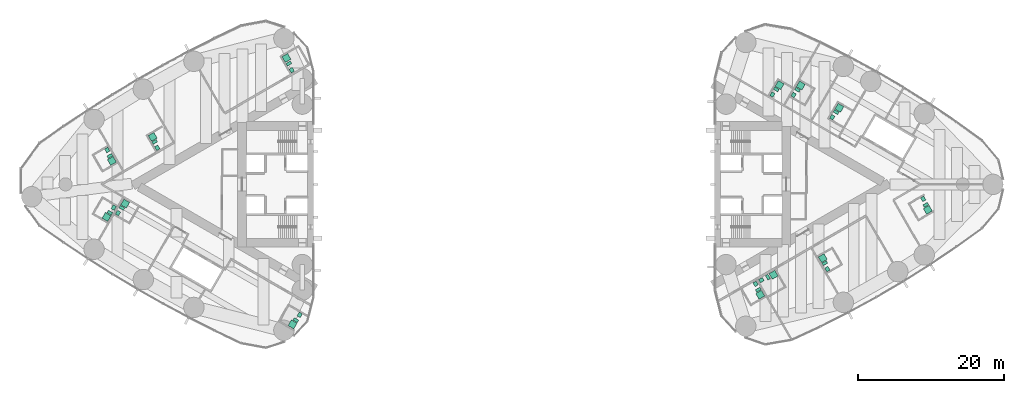
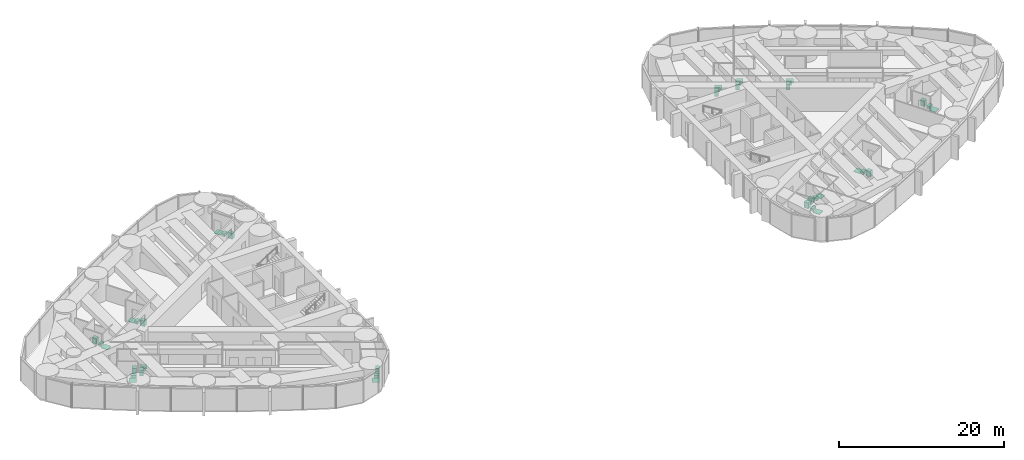
# One storey, part 18 of 18: 17 sanitary terminals.
"""IFC4 building model written with IfcOpenShell, lengths in metres."""

from ifc_helpers import new_model, si_unit, direction, frame, origin, origin_2d, place, context, subcontext, project, spatial, rectangle, extrude, material, type_object, element, save


model = new_model("IFC4")

# Units and contexts
model_context = context("Model", 3, precision=1e-05, world=origin(), true_north=direction((0.0, 1.0)))
body_context = subcontext(model_context, "Body", "Model", "MODEL_VIEW")
ifc_project = project(units=[si_unit("LENGTHUNIT", "METRE"), si_unit("AREAUNIT", "SQUARE_METRE"), si_unit("VOLUMEUNIT", "CUBIC_METRE"), si_unit("PLANEANGLEUNIT", "RADIAN"), si_unit("MASSUNIT", "GRAM", prefix="KILO")], contexts=[model_context])

# Site, building, storey
site_placement = place(None, origin())
site = spatial("IfcSite", under=ifc_project, at=site_placement, CompositionType="ELEMENT")
building_placement = place(site_placement, origin())
building = spatial("IfcBuilding", under=site, at=building_placement, Name="Lancet Gate Hotel", CompositionType="ELEMENT")
storey_placement = place(building_placement, frame((0.0, 0.0, 180.800048828125)))
storey = spatial("IfcBuildingStorey", under=building, at=storey_placement, Name="L48", CompositionType="ELEMENT", Elevation=180.800048828125)

# Sanitary terminals
ifc_material_1 = material(Name="Vitreous china sanitary ware")
sanitary_terminal_type_1 = type_object("IfcSanitaryTerminalType", Name="En-suite sanitary set (shower, WC, basin)", PredefinedType="USERDEFINED", material=ifc_material_1)
sanitary_terminal_1_placement = place(storey_placement, frame((-49.56005859375, 6.505615234375, 0.0), z_axis=(0.0, 0.0, 1.0), x_axis=(1.0, 0.0, 0.0)))
element("IfcSanitaryTerminal", 1, at=sanitary_terminal_1_placement, inside=storey, type_object=sanitary_terminal_type_1, Name="En-suite sanitary set (shower, WC, basin) 4803", ObjectType="EN-SUITE SANITARY SET", PredefinedType="USERDEFINED", context=body_context, shape_type="SweptSolid", body=[
    extrude(rectangle(XDim=0.89990234375, YDim=0.89990234375, at=origin_2d()), frame((0.0, 0.0, 0.0), z_axis=(0.0, 0.0, 1.0), x_axis=(-0.5, 0.866025403784, 0.0)), (0.0, 0.0, 1.0), 0.050048828125),
    extrude(rectangle(XDim=0.39990234375, YDim=0.699951171875, at=origin_2d()), frame((0.2783203125, -0.68212890625, 0.0), z_axis=(0.0, 0.0, 1.0), x_axis=(-0.5, 0.866025403784, 0.0)), (0.0, 0.0, 1.0), 0.39990234375),
    extrude(rectangle(XDim=0.60009765625, YDim=0.5, at=origin_2d()), frame((0.6318359375, -1.494140625, 0.0), z_axis=(0.0, 0.0, 1.0), x_axis=(-0.5, 0.866025403784, 0.0)), (0.0, 0.0, 1.0), 0.85009765625),
])
sanitary_terminal_2_placement = place(storey_placement, frame((-55.1455078125, 3.211669921875, 0.0), z_axis=(0.0, 0.0, 1.0), x_axis=(1.0, 0.0, 0.0)))
element("IfcSanitaryTerminal", 2, at=sanitary_terminal_2_placement, inside=storey, type_object=sanitary_terminal_type_1, Name="En-suite sanitary set (shower, WC, basin) 4804", ObjectType="EN-SUITE SANITARY SET", PredefinedType="USERDEFINED", context=body_context, shape_type="SweptSolid", body=[
    extrude(rectangle(XDim=0.89990234375, YDim=0.89990234375, at=origin_2d()), frame((0.0, 0.0, 0.0), z_axis=(0.0, 0.0, 1.0), x_axis=(0.5, -0.866025403784, 0.0)), (0.0, 0.0, 1.0), 0.050048828125),
    extrude(rectangle(XDim=0.39990234375, YDim=0.699951171875, at=origin_2d()), frame((-0.278564453125, 0.68212890625, 0.0), z_axis=(0.0, 0.0, 1.0), x_axis=(0.5, -0.866025403784, 0.0)), (0.0, 0.0, 1.0), 0.39990234375),
    extrude(rectangle(XDim=0.60009765625, YDim=0.5, at=origin_2d()), frame((-0.6318359375, 1.494140625, 0.0), z_axis=(0.0, 0.0, 1.0), x_axis=(0.5, -0.866025403784, 0.0)), (0.0, 0.0, 1.0), 0.85009765625),
])
sanitary_terminal_3_placement = place(storey_placement, frame((-55.87548828125, -4.47607421875, 0.0), z_axis=(0.0, 0.0, 1.0), x_axis=(1.0, 0.0, 0.0)))
element("IfcSanitaryTerminal", 3, at=sanitary_terminal_3_placement, inside=storey, type_object=sanitary_terminal_type_1, Name="En-suite sanitary set (shower, WC, basin) 4805", ObjectType="EN-SUITE SANITARY SET", PredefinedType="USERDEFINED", context=body_context, shape_type="SweptSolid", body=[
    extrude(rectangle(XDim=0.89990234375, YDim=0.89990234375, at=origin_2d()), frame((0.0, 0.0, 0.0), z_axis=(0.0, 0.0, 1.0), x_axis=(-0.5, -0.866025403784, 0.0)), (0.0, 0.0, 1.0), 0.050048828125),
    extrude(rectangle(XDim=0.39990234375, YDim=0.699951171875, at=origin_2d()), frame((0.451416015625, 0.582275390625, 0.0), z_axis=(0.0, 0.0, 1.0), x_axis=(-0.5, -0.866025403784, 0.0)), (0.0, 0.0, 1.0), 0.39990234375),
    extrude(rectangle(XDim=0.60009765625, YDim=0.5, at=origin_2d()), frame((0.97802734375, 1.29443359375, 0.0), z_axis=(0.0, 0.0, 1.0), x_axis=(-0.5, -0.866025403784, 0.0)), (0.0, 0.0, 1.0), 0.85009765625),
])
sanitary_terminal_4_placement = place(storey_placement, frame((-53.328369140625, -2.644287109375, 0.0), z_axis=(0.0, 0.0, 1.0), x_axis=(1.0, 0.0, 0.0)))
element("IfcSanitaryTerminal", 4, at=sanitary_terminal_4_placement, inside=storey, type_object=sanitary_terminal_type_1, Name="En-suite sanitary set (shower, WC, basin) 4806", ObjectType="EN-SUITE SANITARY SET", PredefinedType="USERDEFINED", context=body_context, shape_type="SweptSolid", body=[
    extrude(rectangle(XDim=0.89990234375, YDim=0.89990234375, at=origin_2d()), frame((0.0, 0.0, 0.0), z_axis=(0.0, 0.0, 1.0), x_axis=(0.5, 0.866025403784, 0.0)), (0.0, 0.0, 1.0), 0.050048828125),
    extrude(rectangle(XDim=0.39990234375, YDim=0.699951171875, at=origin_2d()), frame((-0.45166015625, -0.58203125, 0.0), z_axis=(0.0, 0.0, 1.0), x_axis=(0.5, 0.866025403784, 0.0)), (0.0, 0.0, 1.0), 0.39990234375),
    extrude(rectangle(XDim=0.60009765625, YDim=0.5, at=origin_2d()), frame((-0.978271484375, -1.294189453125, 0.0), z_axis=(0.0, 0.0, 1.0), x_axis=(0.5, 0.866025403784, 0.0)), (0.0, 0.0, 1.0), 0.85009765625),
])
sanitary_terminal_5_placement = place(storey_placement, frame((-30.37841796875, -19.19677734375, 0.0), z_axis=(0.0, 0.0, 1.0), x_axis=(1.0, 0.0, 0.0)))
element("IfcSanitaryTerminal", 5, at=sanitary_terminal_5_placement, inside=storey, type_object=sanitary_terminal_type_1, Name="En-suite sanitary set (shower, WC, basin) 4808", ObjectType="EN-SUITE SANITARY SET", PredefinedType="USERDEFINED", context=body_context, shape_type="SweptSolid", body=[
    extrude(rectangle(XDim=0.89990234375, YDim=0.89990234375, at=origin_2d()), frame((0.0, 0.0, 0.0), z_axis=(0.0, 0.0, 1.0), x_axis=(-0.5, -0.866025403784, 0.0)), (0.0, 0.0, 1.0), 0.050048828125),
    extrude(rectangle(XDim=0.39990234375, YDim=0.699951171875, at=origin_2d()), frame((0.451416015625, 0.582275390625, 0.0), z_axis=(0.0, 0.0, 1.0), x_axis=(-0.5, -0.866025403784, 0.0)), (0.0, 0.0, 1.0), 0.39990234375),
    extrude(rectangle(XDim=0.60009765625, YDim=0.5, at=origin_2d()), frame((0.97802734375, 1.294189453125, 0.0), z_axis=(0.0, 0.0, 1.0), x_axis=(-0.5, -0.866025403784, 0.0)), (0.0, 0.0, 1.0), 0.85009765625),
])
sanitary_terminal_6_placement = place(storey_placement, frame((33.739990234375, -15.139404296875, 0.0), z_axis=(0.0, 0.0, 1.0), x_axis=(1.0, 0.0, 0.0)))
element("IfcSanitaryTerminal", 6, at=sanitary_terminal_6_placement, inside=storey, type_object=sanitary_terminal_type_1, Name="En-suite sanitary set (shower, WC, basin) 4851", ObjectType="EN-SUITE SANITARY SET", PredefinedType="USERDEFINED", context=body_context, shape_type="SweptSolid", body=[
    extrude(rectangle(XDim=0.89990234375, YDim=0.89990234375, at=origin_2d()), frame((0.0, 0.0, 0.0), z_axis=(0.0, 0.0, 1.0), x_axis=(0.5, -0.866025403784, 0.0)), (0.0, 0.0, 1.0), 0.050048828125),
    extrude(rectangle(XDim=0.39990234375, YDim=0.699951171875, at=origin_2d()), frame((-0.2783203125, 0.68212890625, 0.0), z_axis=(0.0, 0.0, 1.0), x_axis=(0.5, -0.866025403784, 0.0)), (0.0, 0.0, 1.0), 0.39990234375),
    extrude(rectangle(XDim=0.60009765625, YDim=0.5, at=origin_2d()), frame((-0.6318359375, 1.494384765625, 0.0), z_axis=(0.0, 0.0, 1.0), x_axis=(0.5, -0.866025403784, 0.0)), (0.0, 0.0, 1.0), 0.85009765625),
])
sanitary_terminal_7_placement = place(storey_placement, frame((42.31298828125, -10.12060546875, 0.0), z_axis=(0.0, 0.0, 1.0), x_axis=(1.0, 0.0, 0.0)))
element("IfcSanitaryTerminal", 7, at=sanitary_terminal_7_placement, inside=storey, type_object=sanitary_terminal_type_1, Name="En-suite sanitary set (shower, WC, basin) 4854", ObjectType="EN-SUITE SANITARY SET", PredefinedType="USERDEFINED", context=body_context, shape_type="SweptSolid", body=[
    extrude(rectangle(XDim=0.89990234375, YDim=0.89990234375, at=origin_2d()), frame((0.0, 0.0, 0.0), z_axis=(0.0, 0.0, 1.0), x_axis=(-0.5, 0.866025403784, 0.0)), (0.0, 0.0, 1.0), 0.050048828125),
    extrude(rectangle(XDim=0.39990234375, YDim=0.699951171875, at=origin_2d()), frame((0.2783203125, -0.68212890625, 0.0), z_axis=(0.0, 0.0, 1.0), x_axis=(-0.5, 0.866025403784, 0.0)), (0.0, 0.0, 1.0), 0.39990234375),
    extrude(rectangle(XDim=0.60009765625, YDim=0.5, at=origin_2d()), frame((0.631591796875, -1.494384765625, 0.0), z_axis=(0.0, 0.0, 1.0), x_axis=(-0.5, 0.866025403784, 0.0)), (0.0, 0.0, 1.0), 0.85009765625),
])
sanitary_terminal_8_placement = place(storey_placement, frame((56.7138671875, -3.4921875, 0.0), z_axis=(0.0, 0.0, 1.0), x_axis=(1.0, 0.0, 0.0)))
element("IfcSanitaryTerminal", 8, at=sanitary_terminal_8_placement, inside=storey, type_object=sanitary_terminal_type_1, Name="En-suite sanitary set (shower, WC, basin) 4857", ObjectType="EN-SUITE SANITARY SET", PredefinedType="USERDEFINED", context=body_context, shape_type="SweptSolid", body=[
    extrude(rectangle(XDim=0.89990234375, YDim=0.89990234375, at=origin_2d()), frame((0.0, 0.0, 0.0), z_axis=(0.0, 0.0, 1.0), x_axis=(0.5, -0.866025403784, 0.0)), (0.0, 0.0, 1.0), 0.050048828125),
    extrude(rectangle(XDim=0.39990234375, YDim=0.699951171875, at=origin_2d()), frame((-0.278564453125, 0.682373046875, 0.0), z_axis=(0.0, 0.0, 1.0), x_axis=(0.5, -0.866025403784, 0.0)), (0.0, 0.0, 1.0), 0.39990234375),
    extrude(rectangle(XDim=0.60009765625, YDim=0.5, at=origin_2d()), frame((-0.6318359375, 1.494384765625, 0.0), z_axis=(0.0, 0.0, 1.0), x_axis=(0.5, -0.866025403784, 0.0)), (0.0, 0.0, 1.0), 0.85009765625),
])
for number, where, z_axis, x_axis, name in (
    (9, (44.586669921875, 10.49365234375, 0.0), (0.0, 0.0, 1.0), (1.0, 0.0, 0.0), "En-suite sanitary set (shower, WC, basin) 4861"),
    (10, (39.295654296875, 13.54833984375, 0.0), (0.0, 0.0, 1.0), (1.0, 0.0, 0.0), "En-suite sanitary set (shower, WC, basin) 4862"),
):
    element("IfcSanitaryTerminal", number, at=place(storey_placement, frame(where, z_axis=z_axis, x_axis=x_axis)), inside=storey, type_object=sanitary_terminal_type_1, Name=name, ObjectType="EN-SUITE SANITARY SET", PredefinedType="USERDEFINED", context=body_context, shape_type="SweptSolid", body=[
        extrude(rectangle(XDim=0.89990234375, YDim=0.89990234375, at=origin_2d()), frame((0.0, 0.0, 0.0), z_axis=(0.0, 0.0, 1.0), x_axis=(0.5, 0.866025403784, 0.0)), (0.0, 0.0, 1.0), 0.050048828125),
        extrude(rectangle(XDim=0.39990234375, YDim=0.699951171875, at=origin_2d()), frame((-0.45166015625, -0.58203125, 0.0), z_axis=(0.0, 0.0, 1.0), x_axis=(0.5, 0.866025403784, 0.0)), (0.0, 0.0, 1.0), 0.39990234375),
        extrude(rectangle(XDim=0.60009765625, YDim=0.5, at=origin_2d()), frame((-0.978271484375, -1.294189453125, 0.0), z_axis=(0.0, 0.0, 1.0), x_axis=(0.5, 0.866025403784, 0.0)), (0.0, 0.0, 1.0), 0.85009765625),
    ])
sanitary_terminal_9_placement = place(storey_placement, frame((36.38720703125, 13.611083984375, 0.0), z_axis=(0.0, 0.0, 1.0), x_axis=(1.0, 0.0, 0.0)))
element("IfcSanitaryTerminal", 11, at=sanitary_terminal_9_placement, inside=storey, type_object=sanitary_terminal_type_1, Name="En-suite sanitary set (shower, WC, basin) 4863", ObjectType="EN-SUITE SANITARY SET", PredefinedType="USERDEFINED", context=body_context, shape_type="SweptSolid", body=[
    extrude(rectangle(XDim=0.89990234375, YDim=0.89990234375, at=origin_2d()), frame((0.0, 0.0, 0.0), z_axis=(0.0, 0.0, 1.0), x_axis=(0.5, 0.866025403784, 0.0)), (0.0, 0.0, 1.0), 0.050048828125),
    extrude(rectangle(XDim=0.39990234375, YDim=0.699951171875, at=origin_2d()), frame((-0.451416015625, -0.582275390625, 0.0), z_axis=(0.0, 0.0, 1.0), x_axis=(0.5, 0.866025403784, 0.0)), (0.0, 0.0, 1.0), 0.39990234375),
    extrude(rectangle(XDim=0.60009765625, YDim=0.5, at=origin_2d()), frame((-0.97802734375, -1.29443359375, 0.0), z_axis=(0.0, 0.0, 1.0), x_axis=(0.5, 0.866025403784, 0.0)), (0.0, 0.0, 1.0), 0.85009765625),
])
ifc_material_2 = material(Name="Stone resin shower tray", Category="masonry")
sanitary_terminal_type_2 = type_object("IfcSanitaryTerminalType", Name="Shower tray 900", PredefinedType="SHOWER", material=ifc_material_2)
for number, where, z_axis, x_axis, name in (
    (12, (-31.216064453125, 17.327392578125, 0.0), (0.0, 0.0, 1.0), (-0.5, 0.866025403784, 0.0), "Shower tray 900 4801"),
    (13, (35.564697265625, -12.39990234375, 0.0), (0.0, 0.0, 1.0), (0.866025403784, 0.5, 0.0), "Shower tray 900 4852"),
):
    element("IfcSanitaryTerminal", number, at=place(storey_placement, frame(where, z_axis=z_axis, x_axis=x_axis)), inside=storey, type_object=sanitary_terminal_type_2, Name=name, PredefinedType="SHOWER", context=body_context, shape_type="SweptSolid", body=[
        extrude(rectangle(XDim=0.89990234375, YDim=0.89990234375, at=origin_2d()), origin(), (0.0, 0.0, 1.0), 0.050048828125),
    ])
ifc_material_3 = material(Name="Vitreous china sanitary ware")
sanitary_terminal_type_3 = type_object("IfcSanitaryTerminalType", Name="Vanity basin 600", PredefinedType="WASHHANDBASIN", material=ifc_material_3)
for number, where, z_axis, x_axis, name in (
    (14, (-30.484375, 15.659912109375, 0.0), (0.0, 0.0, 1.0), (-0.5, 0.866025403784, 0.0), "Vanity basin 600 4801"),
    (15, (33.897216796875, -13.1318359375, 0.0), (0.0, 0.0, 1.0), (0.866025403784, 0.5, 0.0), "Vanity basin 600 4852"),
):
    element("IfcSanitaryTerminal", number, at=place(storey_placement, frame(where, z_axis=z_axis, x_axis=x_axis)), inside=storey, type_object=sanitary_terminal_type_3, Name=name, PredefinedType="WASHHANDBASIN", context=body_context, shape_type="SweptSolid", body=[
        extrude(rectangle(XDim=0.60009765625, YDim=0.5, at=origin_2d()), origin(), (0.0, 0.0, 1.0), 0.85009765625),
    ])
ifc_material_4 = material(Name="Vitreous china sanitary ware")
sanitary_terminal_type_4 = type_object("IfcSanitaryTerminalType", Name="WC pan wall hung", PredefinedType="TOILETPAN", material=ifc_material_4)
for number, where, z_axis, x_axis, name in (
    (16, (-30.8876953125, 16.55859375, 0.0), (0.0, 0.0, 1.0), (-0.5, 0.866025403784, 0.0), "WC pan wall hung 4801"),
    (17, (34.7958984375, -12.728515625, 0.0), (0.0, 0.0, 1.0), (0.866025403784, 0.5, 0.0), "WC pan wall hung 4852"),
):
    element("IfcSanitaryTerminal", number, at=place(storey_placement, frame(where, z_axis=z_axis, x_axis=x_axis)), inside=storey, type_object=sanitary_terminal_type_4, Name=name, PredefinedType="TOILETPAN", context=body_context, shape_type="SweptSolid", body=[
        extrude(rectangle(XDim=0.39990234375, YDim=0.699951171875, at=origin_2d()), origin(), (0.0, 0.0, 1.0), 0.39990234375),
    ])

save(model, "model.ifc")
